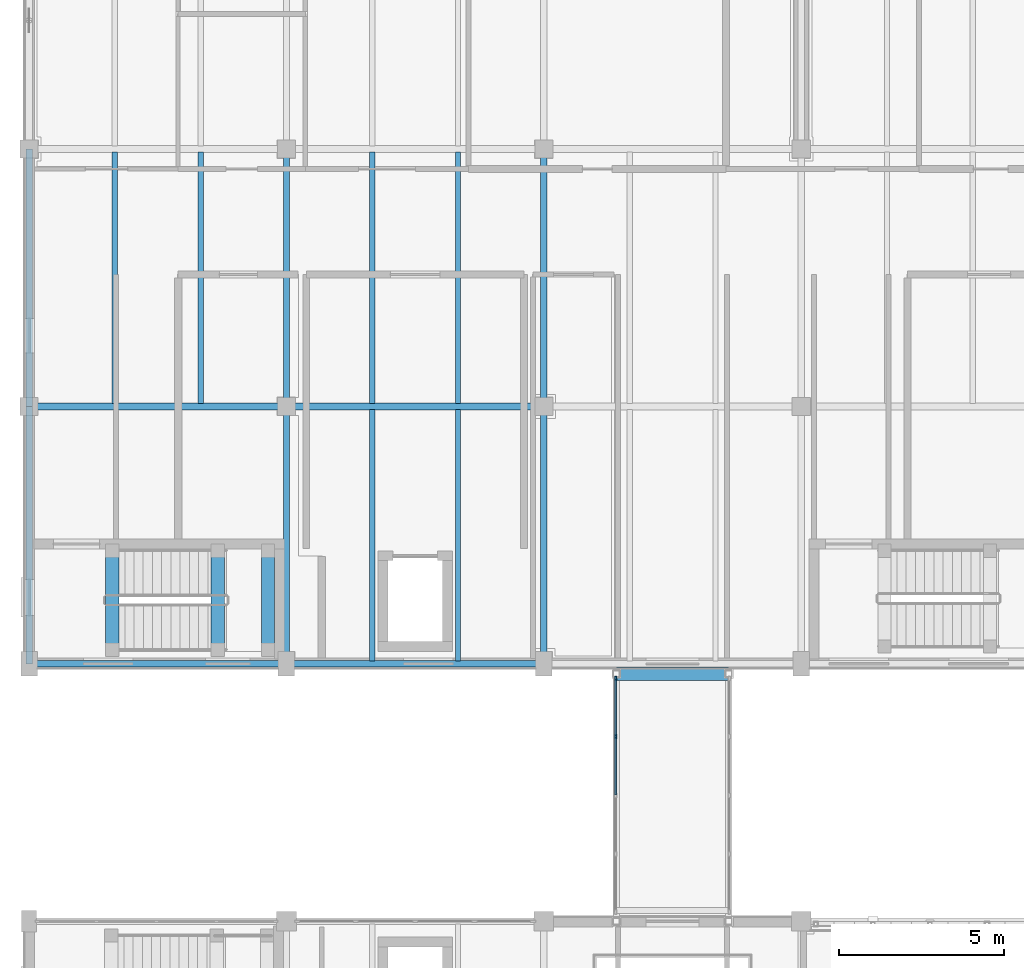
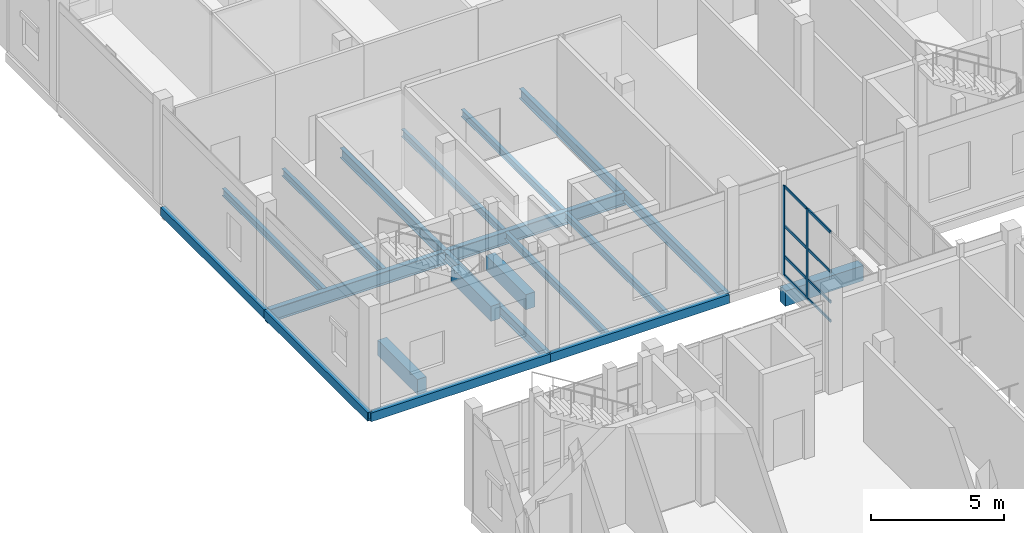
# One storey, part 30 of 138: 20 beams, 10 members, 1 element without a shape of its own.
"""IFC4 building model written with IfcOpenShell, lengths in metres."""

from ifc_helpers import new_model, si_unit, direction, frame, origin, origin_2d, place, context, subcontext, project, spatial, rectangle, hollow_rectangle, i_section, extrude, material, layer, layer_set, material_profile, profile_set, type_object, element, aggregate, save


model = new_model("IFC4")

# Units and contexts
model_context = context("Model", 3, precision=1e-05, world=origin(), true_north=direction((0.0, 1.0)))
body_context = subcontext(model_context, "Body", "Model", "MODEL_VIEW")
ifc_project = project(units=[si_unit("LENGTHUNIT", "METRE"), si_unit("AREAUNIT", "SQUARE_METRE"), si_unit("VOLUMEUNIT", "CUBIC_METRE"), si_unit("PLANEANGLEUNIT", "RADIAN"), si_unit("MASSUNIT", "GRAM", prefix="KILO")], contexts=[model_context])

# Site, building, storey
site_placement = place(None, origin())
site = spatial("IfcSite", under=ifc_project, at=site_placement, CompositionType="ELEMENT")
building_placement = place(site_placement, origin())
building = spatial("IfcBuilding", under=site, at=building_placement, Name="Celorna Specialist Clinic", CompositionType="ELEMENT")
storey_placement = place(building_placement, frame((0.0, 0.0, 4.800048828125)))
storey = spatial("IfcBuildingStorey", under=building, at=storey_placement, Name="L01", CompositionType="ELEMENT", Elevation=4.800048828125)

# Beams
ifc_material_1 = material(Name="Steel S355", Category="steel")
ifc_material_profile_1 = material_profile(ifc_material_1, i_section(OverallWidth=0.219970703125, OverallDepth=0.60009765625, WebThickness=0.011962890625, FlangeThickness=0.01904296875, at=origin_2d()), Name="IPE 600")
ifc_profile_set_1 = profile_set([ifc_material_profile_1], Name="Steel S355")
beam_type_1 = type_object("IfcBeamType", Name="BM-06", PredefinedType="BEAM", material=ifc_profile_set_1)
for number, where, z_axis, x_axis, name in (
    (1, (0.0, 42.89990234375, -0.64013671875), (1.0, 0.0, 0.0), (0.0, 1.0, 0.0), "Primary girder BM-06 #363"),
    (2, (7.800048828125, 42.89990234375, -0.64013671875), (1.0, 0.0, 0.0), (0.0, 1.0, 0.0), "Primary girder BM-06 #364"),
):
    element("IfcBeam", number, at=place(storey_placement, frame(where, z_axis=z_axis, x_axis=x_axis)), inside=storey, type_object=beam_type_1, Name=name, PredefinedType="BEAM", context=body_context, shape_type="SweptSolid", body=[
        extrude(i_section(OverallWidth=0.219970703125, OverallDepth=0.60009765625, WebThickness=0.011962890625, FlangeThickness=0.01904296875, at=origin_2d()), origin(), (0.0, 0.0, 1.0), 7.800048828125),
    ])
ifc_material_profile_2 = material_profile(ifc_material_1, i_section(OverallWidth=0.18994140625, OverallDepth=0.449951171875, WebThickness=0.009521484375, FlangeThickness=0.0146484375, at=origin_2d()), Name="IPE 450")
ifc_profile_set_2 = profile_set([ifc_material_profile_2], Name="Steel S355")
beam_type_2 = type_object("IfcBeamType", Name="BM-09", PredefinedType="BEAM", material=ifc_profile_set_2)
beam_1_placement = place(storey_placement, frame((7.800048828125, 35.10009765625, -0.56494140625), z_axis=(0.0, 1.0, 0.0), x_axis=(-1.0, 0.0, 0.0)))
element("IfcBeam", 3, at=beam_1_placement, inside=storey, type_object=beam_type_2, Name="Transverse girder BM-09 #390", PredefinedType="BEAM", context=body_context, shape_type="SweptSolid", body=[
    extrude(i_section(OverallWidth=0.18994140625, OverallDepth=0.449951171875, WebThickness=0.009521484375, FlangeThickness=0.0146484375, at=origin_2d()), origin(), (0.0, 0.0, 1.0), 7.7998046875),
])
beam_2_placement = place(storey_placement, frame((7.800048828125, 42.89990234375, -0.56494140625), z_axis=(0.0, 1.0, 0.0), x_axis=(-1.0, 0.0, 0.0)))
element("IfcBeam", 4, at=beam_2_placement, inside=storey, type_object=beam_type_2, Name="Transverse girder BM-09 #391", PredefinedType="BEAM", context=body_context, shape_type="SweptSolid", body=[
    extrude(i_section(OverallWidth=0.18994140625, OverallDepth=0.449951171875, WebThickness=0.009521484375, FlangeThickness=0.0146484375, at=origin_2d()), origin(), (0.0, 0.0, 1.0), 7.800048828125),
])
beam_3_placement = place(storey_placement, frame((15.60009765625, 35.10009765625, -0.56494140625), z_axis=(0.0, 1.0, 0.0), x_axis=(-1.0, 0.0, 0.0)))
element("IfcBeam", 5, at=beam_3_placement, inside=storey, type_object=beam_type_2, Name="Transverse girder BM-09 #394", PredefinedType="BEAM", context=body_context, shape_type="SweptSolid", body=[
    extrude(i_section(OverallWidth=0.18994140625, OverallDepth=0.449951171875, WebThickness=0.009521484375, FlangeThickness=0.0146484375, at=origin_2d()), origin(), (0.0, 0.0, 1.0), 7.7998046875),
])
beam_4_placement = place(storey_placement, frame((15.60009765625, 42.89990234375, -0.56494140625), z_axis=(0.0, 1.0, 0.0), x_axis=(-1.0, 0.0, 0.0)))
element("IfcBeam", 6, at=beam_4_placement, inside=storey, type_object=beam_type_2, Name="Transverse girder BM-09 #395", PredefinedType="BEAM", context=body_context, shape_type="SweptSolid", body=[
    extrude(i_section(OverallWidth=0.18994140625, OverallDepth=0.449951171875, WebThickness=0.009521484375, FlangeThickness=0.0146484375, at=origin_2d()), origin(), (0.0, 0.0, 1.0), 7.800048828125),
])
ifc_material_profile_3 = material_profile(ifc_material_1, i_section(OverallWidth=0.159912109375, OverallDepth=0.330078125, WebThickness=0.007568359375, FlangeThickness=0.011474609375, at=origin_2d()), Name="IPE 330")
ifc_profile_set_3 = profile_set([ifc_material_profile_3], Name="Steel S355")
beam_type_3 = type_object("IfcBeamType", Name="BM-12", PredefinedType="JOIST", material=ifc_profile_set_3)
for number, where, z_axis, x_axis, name in (
    (7, (2.60009765625, 42.988037109375, -0.505126953125), (0.0, 1.0, 0.0), (-1.0, 0.0, 0.0), "Secondary floor joist BM-12 #414"),
    (8, (5.199951171875, 42.988037109375, -0.505126953125), (0.0, 1.0, 0.0), (-1.0, 0.0, 0.0), "Secondary floor joist BM-12 #415"),
    (9, (10.39990234375, 35.18798828125, -0.505126953125), (0.0, 1.0, 0.0), (-1.0, 0.0, 0.0), "Secondary floor joist BM-12 #420"),
    (10, (13.0, 35.18798828125, -0.505126953125), (0.0, 1.0, 0.0), (-1.0, 0.0, 0.0), "Secondary floor joist BM-12 #421"),
    (11, (10.39990234375, 42.988037109375, -0.505126953125), (0.0, 1.0, 0.0), (-1.0, 0.0, 0.0), "Secondary floor joist BM-12 #422"),
    (12, (13.0, 42.988037109375, -0.505126953125), (0.0, 1.0, 0.0), (-1.0, 0.0, 0.0), "Secondary floor joist BM-12 #423"),
):
    element("IfcBeam", number, at=place(storey_placement, frame(where, z_axis=z_axis, x_axis=x_axis)), inside=storey, type_object=beam_type_3, Name=name, PredefinedType="JOIST", context=body_context, shape_type="SweptSolid", body=[
        extrude(i_section(OverallWidth=0.159912109375, OverallDepth=0.330078125, WebThickness=0.007568359375, FlangeThickness=0.011474609375, at=origin_2d()), origin(), (0.0, 0.0, 1.0), 7.6240234375),
    ])
ifc_material_profile_4 = material_profile(ifc_material_1, hollow_rectangle(XDim=0.199951171875, YDim=0.39990234375, WallThickness=0.011962890625, at=origin_2d()), Name="RHS 200x400x12")
ifc_profile_set_4 = profile_set([ifc_material_profile_4], Name="Steel S355")
beam_type_4 = type_object("IfcBeamType", Name="BM-15", PredefinedType="SPANDREL", material=ifc_profile_set_4)
for number, where, z_axis, x_axis, name in (
    (13, (0.0, 35.10009765625, -0.5400390625), (1.0, 0.0, 0.0), (0.0, 1.0, 0.0), "Spandrel beam BM-15 #357"),
    (14, (7.800048828125, 35.10009765625, -0.5400390625), (1.0, 0.0, 0.0), (0.0, 1.0, 0.0), "Spandrel beam BM-15 #358"),
):
    element("IfcBeam", number, at=place(storey_placement, frame(where, z_axis=z_axis, x_axis=x_axis)), inside=storey, type_object=beam_type_4, Name=name, PredefinedType="SPANDREL", context=body_context, shape_type="SweptSolid", body=[
        extrude(hollow_rectangle(XDim=0.199951171875, YDim=0.39990234375, WallThickness=0.011962890625, at=origin_2d()), origin(), (0.0, 0.0, 1.0), 7.800048828125),
    ])
beam_5_placement = place(storey_placement, frame((0.0, 35.10009765625, -0.5400390625), z_axis=(0.0, 1.0, 0.0), x_axis=(-1.0, 0.0, 0.0)))
element("IfcBeam", 15, at=beam_5_placement, inside=storey, type_object=beam_type_4, Name="Spandrel beam BM-15 #386", PredefinedType="SPANDREL", context=body_context, shape_type="SweptSolid", body=[
    extrude(hollow_rectangle(XDim=0.199951171875, YDim=0.39990234375, WallThickness=0.011962890625, at=origin_2d()), origin(), (0.0, 0.0, 1.0), 7.7998046875),
])
beam_6_placement = place(storey_placement, frame((0.0, 42.89990234375, -0.5400390625), z_axis=(0.0, 1.0, 0.0), x_axis=(-1.0, 0.0, 0.0)))
element("IfcBeam", 16, at=beam_6_placement, inside=storey, type_object=beam_type_4, Name="Spandrel beam BM-15 #387", PredefinedType="SPANDREL", context=body_context, shape_type="SweptSolid", body=[
    extrude(hollow_rectangle(XDim=0.199951171875, YDim=0.39990234375, WallThickness=0.011962890625, at=origin_2d()), origin(), (0.0, 0.0, 1.0), 7.800048828125),
])
ifc_material_2 = material(Name="Concrete C35/45", Category="concrete")
ifc_material_profile_5 = material_profile(ifc_material_2, rectangle(XDim=0.39990234375, YDim=0.699951171875, at=origin_2d()), Name="RC 400x700")
ifc_profile_set_5 = profile_set([ifc_material_profile_5], Name="Concrete C35/45")
beam_type_5 = type_object("IfcBeamType", Name="BM-19", PredefinedType="BEAM", material=ifc_profile_set_5)
beam_7_placement = place(storey_placement, frame((17.800048828125, 34.800048828125, -1.06494140625), z_axis=(1.0, 0.0, 0.0), x_axis=(0.0, 1.0, 0.0)))
element("IfcBeam", 17, at=beam_7_placement, inside=storey, type_object=beam_type_5, Name="Seismic joint bridge corbel beam BR-01 BM-19 #70", PredefinedType="BEAM", context=body_context, shape_type="SweptSolid", body=[
    extrude(rectangle(XDim=0.39990234375, YDim=0.699951171875, at=origin_2d()), origin(), (0.0, 0.0, 1.0), 3.39990234375),
])
for number, where, z_axis, x_axis, name in (
    (18, (2.52001953125, 35.530029296875, -0.275146484375), (0.0, 1.0, 0.0), (-1.0, 0.0, 0.0), "Stair ST-06 floor landing trimmer beam L01"),
    (19, (5.719970703125, 35.530029296875, 1.974853515625), (0.0, 1.0, 0.0), (-1.0, 0.0, 0.0), "Stair ST-06 half-landing beam L01"),
    (20, (7.239990234375, 35.530029296875, 1.974853515625), (0.0, 1.0, 0.0), (-1.0, 0.0, 0.0), "Stair ST-06 half-landing beam L01"),
):
    element("IfcBeam", number, at=place(storey_placement, frame(where, z_axis=z_axis, x_axis=x_axis)), inside=storey, type_object=beam_type_5, Name=name, PredefinedType="BEAM", context=body_context, shape_type="SweptSolid", body=[
        extrude(rectangle(XDim=0.39990234375, YDim=0.699951171875, at=origin_2d()), origin(), (0.0, 0.0, 1.0), 3.0),
    ])

# Curtain wall, members
ifc_material_3 = material(Name="Thermally broken aluminium and solar-control glass curtain wall", Category="aluminium")
ifc_layer = layer(ifc_material_3, 0.159912109375, Name="Thermally broken aluminium and solar-control glass curtain wall")
ifc_layer_set = layer_set([ifc_layer], Name="Thermally broken aluminium and solar-control glass curtain wall")
curtain_wall_type = type_object("IfcCurtainWallType", Name="CW-111", PredefinedType="NOTDEFINED", material=ifc_layer_set)
curtain_wall_placement = place(storey_placement, origin())
curtain_wall = element("IfcCurtainWall", 21, at=curtain_wall_placement, inside=storey, type_object=curtain_wall_type, Name="Curtain wall CW-111 #200", PredefinedType="NOTDEFINED")
ifc_material_4 = material(Name="Anodized aluminium mullion", Category="aluminium")
ifc_material_profile_6 = material_profile(ifc_material_4, rectangle(XDim=0.050048828125, YDim=0.139892578125, at=origin_2d()), Name="ALU MULLION 50x140")
ifc_profile_set_6 = profile_set([ifc_material_profile_6], Name="Anodized aluminium mullion")
member_type_1 = type_object("IfcMemberType", Name="ML-03", PredefinedType="MULLION", material=ifc_profile_set_6)
member_1_placement = place(storey_placement, frame((17.780029296875, 32.8974609375, 0.0), z_axis=(0.0, 0.0, 1.0), x_axis=(-1.0, 0.0, 0.0)))
member_1 = element("IfcMember", 22, at=member_1_placement, type_object=member_type_1, Name="CW-111 mullion 4", PredefinedType="MULLION", context=body_context, shape_type="SweptSolid", body=[
    extrude(rectangle(XDim=0.050048828125, YDim=0.139892578125, at=origin_2d()), origin(), (0.0, 0.0, 1.0), 4.1298828125),
])
member_2_placement = place(storey_placement, frame((17.780029296875, 34.655029296875, 0.0), z_axis=(0.0, 0.0, 1.0), x_axis=(-1.0, 0.0, 0.0)))
member_2 = element("IfcMember", 23, at=member_2_placement, type_object=member_type_1, Name="CW-111 mullion 5", PredefinedType="MULLION", context=body_context, shape_type="SweptSolid", body=[
    extrude(rectangle(XDim=0.050048828125, YDim=0.139892578125, at=origin_2d()), origin(), (0.0, 0.0, 1.0), 4.1298828125),
])
ifc_material_5 = material(Name="Anodized aluminium transom", Category="aluminium")
ifc_material_profile_7 = material_profile(ifc_material_5, rectangle(XDim=0.050048828125, YDim=0.1298828125, at=origin_2d()), Name="ALU TRANSOM 50x130")
ifc_profile_set_7 = profile_set([ifc_material_profile_7], Name="Anodized aluminium transom")
member_type_2 = type_object("IfcMemberType", Name="TR-01", PredefinedType="USERDEFINED", material=ifc_profile_set_7)
member_3_placement = place(storey_placement, frame((17.780029296875, 31.139892578125, 0.02490234375), z_axis=(0.0, 1.0, 0.0), x_axis=(-1.0, 0.0, 0.0)))
member_3 = element("IfcMember", 24, at=member_3_placement, type_object=member_type_2, Name="CW-111 transom 3.1", ObjectType="TRANSOM", PredefinedType="USERDEFINED", context=body_context, shape_type="SweptSolid", body=[
    extrude(rectangle(XDim=0.050048828125, YDim=0.1298828125, at=origin_2d()), origin(), (0.0, 0.0, 1.0), 1.732666015625),
])
member_4_placement = place(storey_placement, frame((17.780029296875, 31.139892578125, 0.89990234375), z_axis=(0.0, 1.0, 0.0), x_axis=(-1.0, 0.0, 0.0)))
member_4 = element("IfcMember", 25, at=member_4_placement, type_object=member_type_2, Name="CW-111 transom 3.2", ObjectType="TRANSOM", PredefinedType="USERDEFINED", context=body_context, shape_type="SweptSolid", body=[
    extrude(rectangle(XDim=0.050048828125, YDim=0.1298828125, at=origin_2d()), origin(), (0.0, 0.0, 1.0), 1.732666015625),
])
member_5_placement = place(storey_placement, frame((17.780029296875, 31.139892578125, 2.300048828125), z_axis=(0.0, 1.0, 0.0), x_axis=(-1.0, 0.0, 0.0)))
member_5 = element("IfcMember", 26, at=member_5_placement, type_object=member_type_2, Name="CW-111 transom 3.3", ObjectType="TRANSOM", PredefinedType="USERDEFINED", context=body_context, shape_type="SweptSolid", body=[
    extrude(rectangle(XDim=0.050048828125, YDim=0.1298828125, at=origin_2d()), origin(), (0.0, 0.0, 1.0), 1.732666015625),
])
member_6_placement = place(storey_placement, frame((17.780029296875, 31.139892578125, 4.10498046875), z_axis=(0.0, 1.0, 0.0), x_axis=(-1.0, 0.0, 0.0)))
member_6 = element("IfcMember", 27, at=member_6_placement, type_object=member_type_2, Name="CW-111 transom 3.4", ObjectType="TRANSOM", PredefinedType="USERDEFINED", context=body_context, shape_type="SweptSolid", body=[
    extrude(rectangle(XDim=0.050048828125, YDim=0.1298828125, at=origin_2d()), origin(), (0.0, 0.0, 1.0), 1.732666015625),
])
member_7_placement = place(storey_placement, frame((17.780029296875, 32.922607421875, 0.02490234375), z_axis=(0.0, 1.0, 0.0), x_axis=(-1.0, 0.0, 0.0)))
member_7 = element("IfcMember", 28, at=member_7_placement, type_object=member_type_2, Name="CW-111 transom 4.1", ObjectType="TRANSOM", PredefinedType="USERDEFINED", context=body_context, shape_type="SweptSolid", body=[
    extrude(rectangle(XDim=0.050048828125, YDim=0.1298828125, at=origin_2d()), origin(), (0.0, 0.0, 1.0), 1.707275390625),
])
member_8_placement = place(storey_placement, frame((17.780029296875, 32.922607421875, 0.89990234375), z_axis=(0.0, 1.0, 0.0), x_axis=(-1.0, 0.0, 0.0)))
member_8 = element("IfcMember", 29, at=member_8_placement, type_object=member_type_2, Name="CW-111 transom 4.2", ObjectType="TRANSOM", PredefinedType="USERDEFINED", context=body_context, shape_type="SweptSolid", body=[
    extrude(rectangle(XDim=0.050048828125, YDim=0.1298828125, at=origin_2d()), origin(), (0.0, 0.0, 1.0), 1.707275390625),
])
member_9_placement = place(storey_placement, frame((17.780029296875, 32.922607421875, 2.300048828125), z_axis=(0.0, 1.0, 0.0), x_axis=(-1.0, 0.0, 0.0)))
member_9 = element("IfcMember", 30, at=member_9_placement, type_object=member_type_2, Name="CW-111 transom 4.3", ObjectType="TRANSOM", PredefinedType="USERDEFINED", context=body_context, shape_type="SweptSolid", body=[
    extrude(rectangle(XDim=0.050048828125, YDim=0.1298828125, at=origin_2d()), origin(), (0.0, 0.0, 1.0), 1.707275390625),
])
member_10_placement = place(storey_placement, frame((17.780029296875, 32.922607421875, 4.10498046875), z_axis=(0.0, 1.0, 0.0), x_axis=(-1.0, 0.0, 0.0)))
member_10 = element("IfcMember", 31, at=member_10_placement, type_object=member_type_2, Name="CW-111 transom 4.4", ObjectType="TRANSOM", PredefinedType="USERDEFINED", context=body_context, shape_type="SweptSolid", body=[
    extrude(rectangle(XDim=0.050048828125, YDim=0.1298828125, at=origin_2d()), origin(), (0.0, 0.0, 1.0), 1.707275390625),
])
aggregate(curtain_wall, [member_1, member_2, member_3, member_4, member_5, member_6, member_7, member_8, member_9, member_10])

save(model, "model.ifc")
